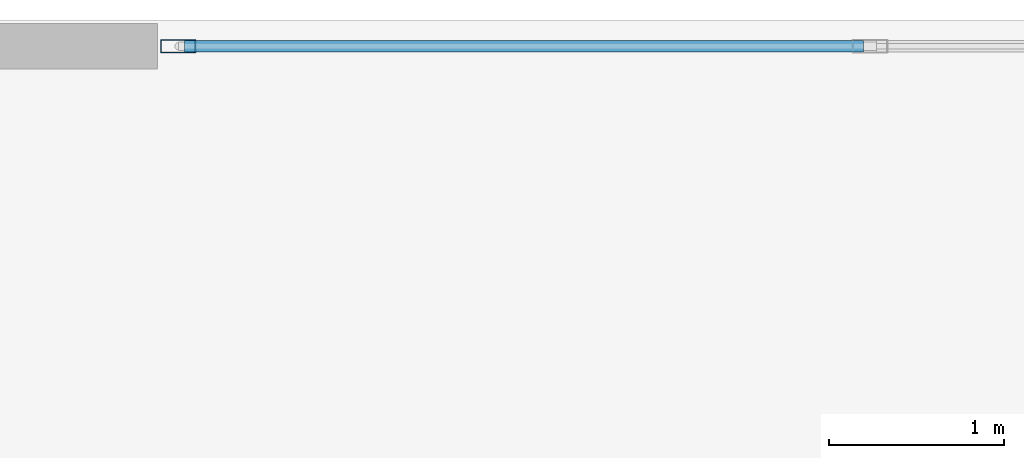
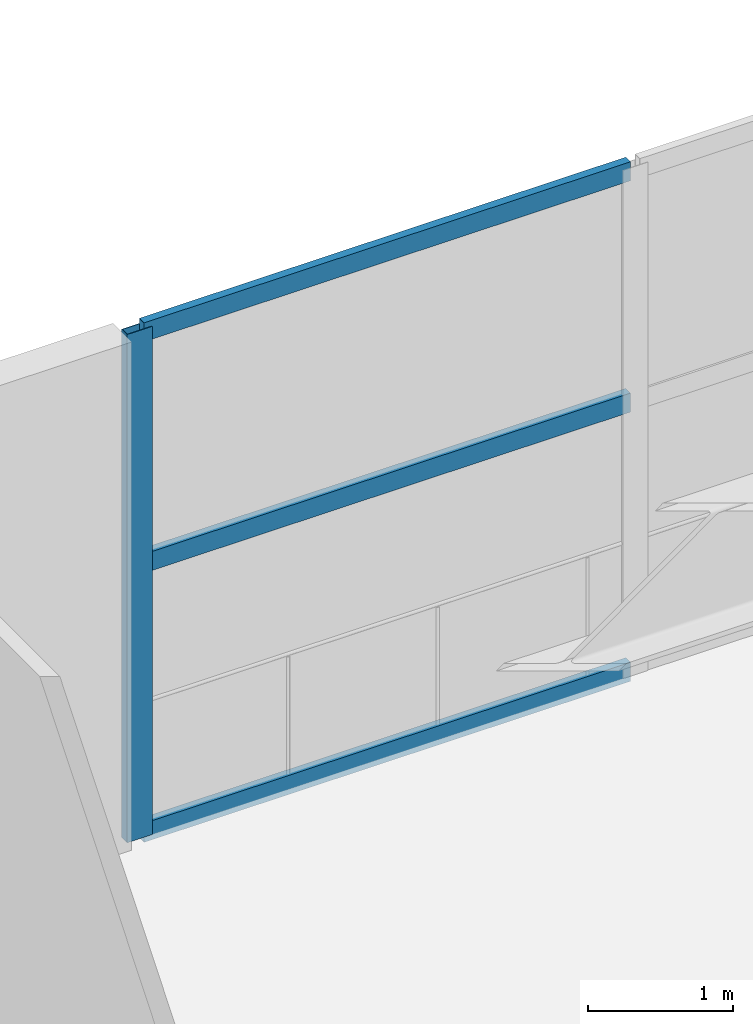
# One storey, part 6 of 20: 4 members, 1 element without a shape of its own.
"""IFC4 building model written with IfcOpenShell, lengths in metres."""

from ifc_helpers import new_model, si_unit, direction, frame, origin, origin_2d, place, context, subcontext, project, spatial, hollow_rectangle, extrude, material, layer, layer_set, material_profile, profile_set, type_object, element, aggregate, save


model = new_model("IFC4")

# Units and contexts
model_context = context("Model", 3, precision=1e-05, world=origin(), true_north=direction((0.0, 1.0)))
body_context = subcontext(model_context, "Body", "Model", "MODEL_VIEW")
ifc_project = project(units=[si_unit("LENGTHUNIT", "METRE"), si_unit("AREAUNIT", "SQUARE_METRE"), si_unit("VOLUMEUNIT", "CUBIC_METRE"), si_unit("PLANEANGLEUNIT", "RADIAN"), si_unit("MASSUNIT", "GRAM", prefix="KILO")], contexts=[model_context])

# Site, building, storey
site_placement = place(None, origin())
site = spatial("IfcSite", under=ifc_project, at=site_placement, CompositionType="ELEMENT")
building_placement = place(site_placement, origin())
building = spatial("IfcBuilding", under=site, at=building_placement, Name="Solvane Sanctuary Tower", CompositionType="ELEMENT")
storey_placement = place(building_placement, frame((0.0, 0.0, 18.39990234375)))
storey = spatial("IfcBuildingStorey", under=building, at=storey_placement, Name="L05", CompositionType="ELEMENT", Elevation=18.39990234375)

# Curtain wall, members
ifc_material = material(Name="Anodised Aluminium 6063-T6", Category="aluminium")
ifc_layer = layer(ifc_material, 0.159912109375, Name="Anodised Aluminium 6063-T6")
ifc_layer_set = layer_set([ifc_layer], Name="Anodised Aluminium 6063-T6")
curtain_wall_type = type_object("IfcCurtainWallType", Name="Curtain Wall CW-POD", PredefinedType="NOTDEFINED", material=ifc_layer_set)
curtain_wall_placement = place(storey_placement, origin())
curtain_wall = element("IfcCurtainWall", 1, at=curtain_wall_placement, inside=storey, type_object=curtain_wall_type, Name="L05 Sanctuary Curtain Wall N2", PredefinedType="NOTDEFINED")
ifc_material_profile_1 = material_profile(ifc_material, hollow_rectangle(XDim=0.074951171875, YDim=0.199951171875, WallThickness=0.00390625, at=origin_2d()), Name="ALU200X75X4")
ifc_profile_set_1 = profile_set([ifc_material_profile_1], Name="Anodised Aluminium 6063-T6")
member_type_1 = type_object("IfcMemberType", Name="Member M-CW-MUL-1 ALU200X75X4", PredefinedType="MULLION", material=ifc_profile_set_1)
member_1_placement = place(storey_placement, frame((20.117431640625, 45.85009765625, 0.0), z_axis=(0.0, 0.0, 1.0), x_axis=(0.0, -1.0, 0.0)))
member_1 = element("IfcMember", 2, at=member_1_placement, type_object=member_type_1, Name="CW-POD mullion 7", PredefinedType="MULLION", context=body_context, shape_type="SweptSolid", body=[
    extrude(hollow_rectangle(XDim=0.074951171875, YDim=0.199951171875, WallThickness=0.00390625, at=origin_2d()), origin(), (0.0, 0.0, 1.0), 4.280029296875),
])
ifc_material_profile_2 = material_profile(ifc_material, hollow_rectangle(XDim=0.06494140625, YDim=0.159912109375, WallThickness=0.00341796875, at=origin_2d()), Name="ALU160X65X3.5")
ifc_profile_set_2 = profile_set([ifc_material_profile_2], Name="Anodised Aluminium 6063-T6")
member_type_2 = type_object("IfcMemberType", Name="Member M-CW-TRN-1 ALU160X65X3.5", PredefinedType="USERDEFINED", material=ifc_profile_set_2)
member_2_placement = place(storey_placement, frame((24.029052734375, 45.85009765625, 0.03271484375), z_axis=(-1.0, 0.0, 0.0), x_axis=(0.0, -1.0, 0.0)))
member_2 = element("IfcMember", 3, at=member_2_placement, type_object=member_type_2, Name="CW-POD transom 6.1", ObjectType="TRANSOM", PredefinedType="USERDEFINED", context=body_context, shape_type="SweptSolid", body=[
    extrude(hollow_rectangle(XDim=0.06494140625, YDim=0.159912109375, WallThickness=0.00341796875, at=origin_2d()), origin(), (0.0, 0.0, 1.0), 3.8740234375),
])
member_3_placement = place(storey_placement, frame((24.029052734375, 45.85009765625, 2.300048828125), z_axis=(-1.0, 0.0, 0.0), x_axis=(0.0, -1.0, 0.0)))
member_3 = element("IfcMember", 4, at=member_3_placement, type_object=member_type_2, Name="CW-POD transom 6.2", ObjectType="TRANSOM", PredefinedType="USERDEFINED", context=body_context, shape_type="SweptSolid", body=[
    extrude(hollow_rectangle(XDim=0.06494140625, YDim=0.159912109375, WallThickness=0.00341796875, at=origin_2d()), origin(), (0.0, 0.0, 1.0), 3.8740234375),
])
member_4_placement = place(storey_placement, frame((24.029052734375, 45.85009765625, 4.24755859375), z_axis=(-1.0, 0.0, 0.0), x_axis=(0.0, -1.0, 0.0)))
member_4 = element("IfcMember", 5, at=member_4_placement, type_object=member_type_2, Name="CW-POD transom 6.3", ObjectType="TRANSOM", PredefinedType="USERDEFINED", context=body_context, shape_type="SweptSolid", body=[
    extrude(hollow_rectangle(XDim=0.06494140625, YDim=0.159912109375, WallThickness=0.00341796875, at=origin_2d()), origin(), (0.0, 0.0, 1.0), 3.8740234375),
])
aggregate(curtain_wall, [member_1, member_2, member_3, member_4])

save(model, "model.ifc")
